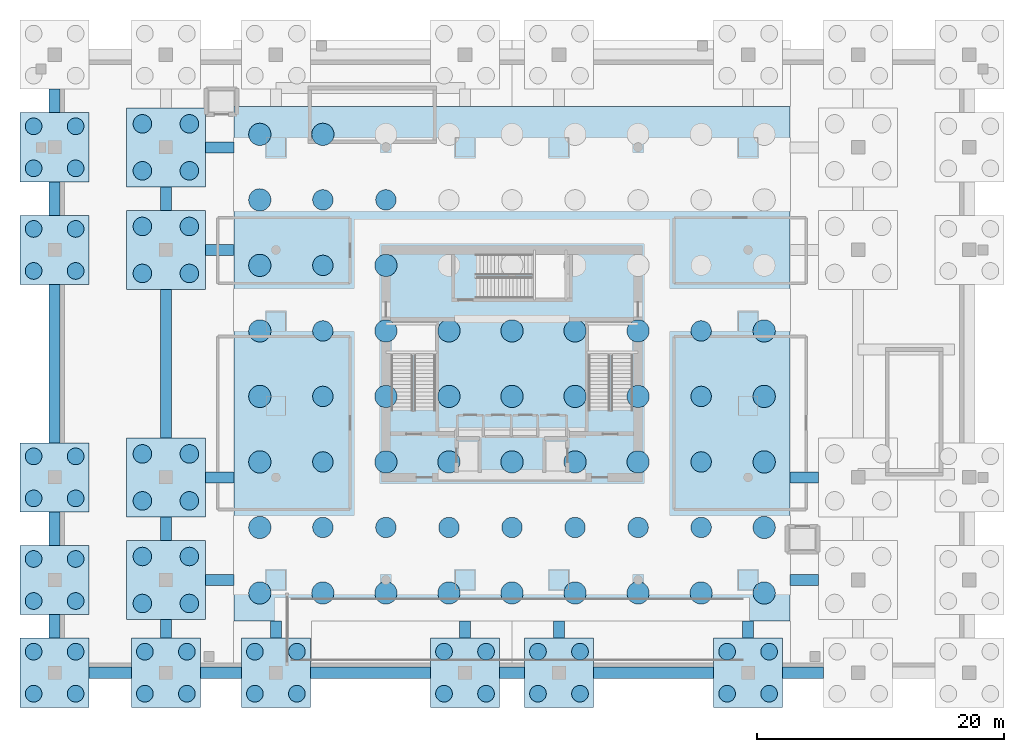
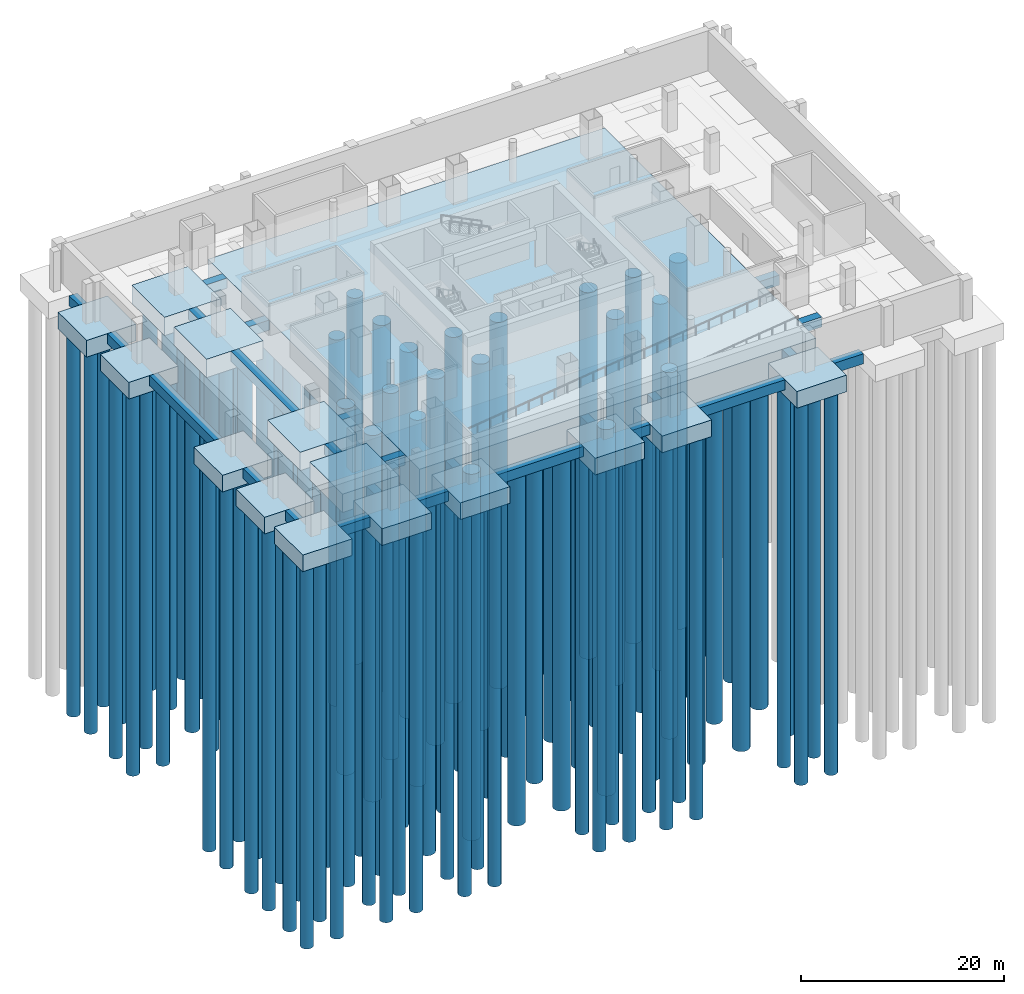
# One storey, part 1 of 11: 109 piles, 40 footings.
"""IFC4 building model written with IfcOpenShell, lengths in metres."""

from ifc_helpers import new_model, si_unit, direction, frame, origin, origin_2d, place, context, subcontext, project, spatial, polyline, rectangle, circle, outline, extrude, material, material_profile, profile_set, type_object, element, save


model = new_model("IFC4")

# Units and contexts
model_context = context("Model", 3, precision=1e-05, world=origin(), true_north=direction((0.0, 1.0)))
body_context = subcontext(model_context, "Body", "Model", "MODEL_VIEW")
ifc_project = project(units=[si_unit("LENGTHUNIT", "METRE"), si_unit("AREAUNIT", "SQUARE_METRE"), si_unit("VOLUMEUNIT", "CUBIC_METRE"), si_unit("PLANEANGLEUNIT", "RADIAN"), si_unit("MASSUNIT", "GRAM", prefix="KILO")], contexts=[model_context])

# Site, building, storey
site_placement = place(None, origin())
site = spatial("IfcSite", under=ifc_project, at=site_placement, CompositionType="ELEMENT")
building_placement = place(site_placement, origin())
building = spatial("IfcBuilding", under=site, at=building_placement, Name="Punatoya Terracotta Tower", CompositionType="ELEMENT")
storey_placement = place(building_placement, frame((0.0, 0.0, -9.60009765625)))
storey = spatial("IfcBuildingStorey", under=building, at=storey_placement, Name="B2", CompositionType="ELEMENT", Elevation=-9.60009765625)

# Footings
ifc_material_1 = material(Name="Concrete C45/55", Category="concrete")
footing_type_1 = type_object("IfcFootingType", Name="CAP-5600X5600X2000", PredefinedType="PILE_CAP", material=ifc_material_1)
footing_1_placement = place(storey_placement, frame((0.0, 0.0, -2.0)))
element("IfcFooting", 1, at=footing_1_placement, inside=storey, type_object=footing_type_1, Name="Podium Pile Cap PCAP-01 (1-A)", PredefinedType="PILE_CAP", context=body_context, shape_type="SweptSolid", body=[
    extrude(outline(polyline([(-39.800048828125, -27.800048828125), (-34.199951171875, -27.800048828125), (-34.199951171875, -22.199951171875), (-39.800048828125, -22.199951171875), (-39.800048828125, -27.800048828125)])), origin(), (0.0, 0.0, 1.0), 2.0),
])
footing_2_placement = place(storey_placement, frame((0.0, 0.0, -2.0)))
element("IfcFooting", 2, at=footing_2_placement, inside=storey, type_object=footing_type_1, Name="Podium Pile Cap PCAP-02 (2-A)", PredefinedType="PILE_CAP", context=body_context, shape_type="SweptSolid", body=[
    extrude(outline(polyline([(-30.800048828125, -27.800048828125), (-25.199951171875, -27.800048828125), (-25.199951171875, -22.199951171875), (-30.800048828125, -22.199951171875), (-30.800048828125, -27.800048828125)])), origin(), (0.0, 0.0, 1.0), 2.0),
])
footing_3_placement = place(storey_placement, frame((0.0, 0.0, -2.0)))
element("IfcFooting", 3, at=footing_3_placement, inside=storey, type_object=footing_type_1, Name="Podium Pile Cap PCAP-03 (3-A)", PredefinedType="PILE_CAP", context=body_context, shape_type="SweptSolid", body=[
    extrude(outline(polyline([(-21.89990234375, -27.800048828125), (-16.300048828125, -27.800048828125), (-16.300048828125, -22.199951171875), (-21.89990234375, -22.199951171875), (-21.89990234375, -27.800048828125)])), origin(), (0.0, 0.0, 1.0), 2.0),
])
footing_4_placement = place(storey_placement, frame((0.0, 0.0, -2.0)))
element("IfcFooting", 4, at=footing_4_placement, inside=storey, type_object=footing_type_1, Name="Podium Pile Cap PCAP-04 (5-A)", PredefinedType="PILE_CAP", context=body_context, shape_type="SweptSolid", body=[
    extrude(outline(polyline([(-6.60009765625, -27.800048828125), (-1.0, -27.800048828125), (-1.0, -22.199951171875), (-6.60009765625, -22.199951171875), (-6.60009765625, -27.800048828125)])), origin(), (0.0, 0.0, 1.0), 2.0),
])
footing_5_placement = place(storey_placement, frame((0.0, 0.0, -2.0)))
element("IfcFooting", 5, at=footing_5_placement, inside=storey, type_object=footing_type_1, Name="Podium Pile Cap PCAP-05 (7-A)", PredefinedType="PILE_CAP", context=body_context, shape_type="SweptSolid", body=[
    extrude(outline(polyline([(1.0, -27.800048828125), (6.60009765625, -27.800048828125), (6.60009765625, -22.199951171875), (1.0, -22.199951171875), (1.0, -27.800048828125)])), origin(), (0.0, 0.0, 1.0), 2.0),
])
footing_6_placement = place(storey_placement, frame((0.0, 0.0, -2.0)))
element("IfcFooting", 6, at=footing_6_placement, inside=storey, type_object=footing_type_1, Name="Podium Pile Cap PCAP-06 (9-A)", PredefinedType="PILE_CAP", context=body_context, shape_type="SweptSolid", body=[
    extrude(outline(polyline([(16.300048828125, -27.800048828125), (21.89990234375, -27.800048828125), (21.89990234375, -22.199951171875), (16.300048828125, -22.199951171875), (16.300048828125, -27.800048828125)])), origin(), (0.0, 0.0, 1.0), 2.0),
])
footing_7_placement = place(storey_placement, frame((0.0, 0.0, -2.0)))
element("IfcFooting", 7, at=footing_7_placement, inside=storey, type_object=footing_type_1, Name="Podium Pile Cap PCAP-09 (1-B)", PredefinedType="PILE_CAP", context=body_context, shape_type="SweptSolid", body=[
    extrude(outline(polyline([(-39.800048828125, -20.300048828125), (-34.199951171875, -20.300048828125), (-34.199951171875, -14.699951171875), (-39.800048828125, -14.699951171875), (-39.800048828125, -20.300048828125)])), origin(), (0.0, 0.0, 1.0), 2.0),
])
footing_8_placement = place(storey_placement, frame((0.0, 0.0, -2.0)))
element("IfcFooting", 8, at=footing_8_placement, inside=storey, type_object=footing_type_1, Name="Podium Pile Cap PCAP-13 (1-C)", PredefinedType="PILE_CAP", context=body_context, shape_type="SweptSolid", body=[
    extrude(outline(polyline([(-39.800048828125, -12.0), (-34.199951171875, -12.0), (-34.199951171875, -6.39990234375), (-39.800048828125, -6.39990234375), (-39.800048828125, -12.0)])), origin(), (0.0, 0.0, 1.0), 2.0),
])
footing_9_placement = place(storey_placement, frame((0.0, 0.0, -2.0)))
element("IfcFooting", 9, at=footing_9_placement, inside=storey, type_object=footing_type_1, Name="Podium Pile Cap PCAP-15 (1-F)", PredefinedType="PILE_CAP", context=body_context, shape_type="SweptSolid", body=[
    extrude(outline(polyline([(-39.800048828125, 6.39990234375), (-34.199951171875, 6.39990234375), (-34.199951171875, 12.0), (-39.800048828125, 12.0), (-39.800048828125, 6.39990234375)])), origin(), (0.0, 0.0, 1.0), 2.0),
])
footing_10_placement = place(storey_placement, frame((0.0, 0.0, -2.0)))
element("IfcFooting", 10, at=footing_10_placement, inside=storey, type_object=footing_type_1, Name="Podium Pile Cap PCAP-17 (1-G)", PredefinedType="PILE_CAP", context=body_context, shape_type="SweptSolid", body=[
    extrude(outline(polyline([(-39.800048828125, 14.699951171875), (-34.199951171875, 14.699951171875), (-34.199951171875, 20.300048828125), (-39.800048828125, 20.300048828125), (-39.800048828125, 14.699951171875)])), origin(), (0.0, 0.0, 1.0), 2.0),
])
footing_type_2 = type_object("IfcFootingType", Name="CAP-6400X6400X2200", PredefinedType="PILE_CAP", material=ifc_material_1)
footing_11_placement = place(storey_placement, frame((0.0, 0.0, -2.199951171875)))
element("IfcFooting", 11, at=footing_11_placement, inside=storey, type_object=footing_type_2, Name="Podium Pile Cap PCAP-10 (2-B)", PredefinedType="PILE_CAP", context=body_context, shape_type="SweptSolid", body=[
    extrude(outline(polyline([(-31.199951171875, -20.699951171875), (-24.800048828125, -20.699951171875), (-24.800048828125, -14.300048828125), (-31.199951171875, -14.300048828125), (-31.199951171875, -20.699951171875)])), origin(), (0.0, 0.0, 1.0), 2.199951171875),
])
footing_12_placement = place(storey_placement, frame((0.0, 0.0, -2.199951171875)))
element("IfcFooting", 12, at=footing_12_placement, inside=storey, type_object=footing_type_2, Name="Podium Pile Cap PCAP-18 (2-G)", PredefinedType="PILE_CAP", context=body_context, shape_type="SweptSolid", body=[
    extrude(outline(polyline([(-31.199951171875, 14.300048828125), (-24.800048828125, 14.300048828125), (-24.800048828125, 20.699951171875), (-31.199951171875, 20.699951171875), (-31.199951171875, 14.300048828125)])), origin(), (0.0, 0.0, 1.0), 2.199951171875),
])
footing_13_placement = place(storey_placement, frame((0.0, 0.0, -2.199951171875)))
element("IfcFooting", 13, at=footing_13_placement, inside=storey, type_object=footing_type_2, Name="Podium Pile Cap PCAP-29 (2-C)", PredefinedType="PILE_CAP", context=body_context, shape_type="SweptSolid", body=[
    extrude(outline(polyline([(-31.199951171875, -12.39990234375), (-24.800048828125, -12.39990234375), (-24.800048828125, -6.0), (-31.199951171875, -6.0), (-31.199951171875, -12.39990234375)])), origin(), (0.0, 0.0, 1.0), 2.199951171875),
])
footing_14_placement = place(storey_placement, frame((0.0, 0.0, -2.199951171875)))
element("IfcFooting", 14, at=footing_14_placement, inside=storey, type_object=footing_type_2, Name="Podium Pile Cap PCAP-30 (2-F)", PredefinedType="PILE_CAP", context=body_context, shape_type="SweptSolid", body=[
    extrude(outline(polyline([(-31.199951171875, 6.0), (-24.800048828125, 6.0), (-24.800048828125, 12.39990234375), (-31.199951171875, 12.39990234375), (-31.199951171875, 6.0)])), origin(), (0.0, 0.0, 1.0), 2.199951171875),
])
ifc_material_profile_1 = material_profile(ifc_material_1, rectangle(XDim=0.89990234375, YDim=1.199951171875, at=origin_2d()))
ifc_profile_set_1 = profile_set([ifc_material_profile_1], Name="Concrete C45/55")
footing_type_3 = type_object("IfcFootingType", Name="FTG-GB-900", PredefinedType="FOOTING_BEAM", material=ifc_profile_set_1)
footing_15_placement = place(storey_placement, frame((-34.199951171875, -25.0, -0.599853515625), z_axis=(1.0, 0.0, 0.0), x_axis=(0.0, 1.0, 0.0)))
element("IfcFooting", 15, at=footing_15_placement, inside=storey, type_object=footing_type_3, Name="Foundation Tie Beam FGB-001 (1..2-A)", PredefinedType="FOOTING_BEAM", context=body_context, shape_type="SweptSolid", body=[
    extrude(rectangle(XDim=0.89990234375, YDim=1.199951171875, at=origin_2d()), origin(), (0.0, 0.0, 1.0), 3.39990234375),
])
footing_16_placement = place(storey_placement, frame((-25.199951171875, -25.0, -0.599853515625), z_axis=(1.0, 0.0, 0.0), x_axis=(0.0, 1.0, 0.0)))
element("IfcFooting", 16, at=footing_16_placement, inside=storey, type_object=footing_type_3, Name="Foundation Tie Beam FGB-002 (2..3-A)", PredefinedType="FOOTING_BEAM", context=body_context, shape_type="SweptSolid", body=[
    extrude(rectangle(XDim=0.89990234375, YDim=1.199951171875, at=origin_2d()), origin(), (0.0, 0.0, 1.0), 3.300048828125),
])
footing_17_placement = place(storey_placement, frame((-16.300048828125, -25.0, -0.599853515625), z_axis=(1.0, 0.0, 0.0), x_axis=(0.0, 1.0, 0.0)))
element("IfcFooting", 17, at=footing_17_placement, inside=storey, type_object=footing_type_3, Name="Foundation Tie Beam FGB-003 (3..5-A)", PredefinedType="FOOTING_BEAM", context=body_context, shape_type="SweptSolid", body=[
    extrude(rectangle(XDim=0.89990234375, YDim=1.199951171875, at=origin_2d()), origin(), (0.0, 0.0, 1.0), 9.699951171875),
])
footing_18_placement = place(storey_placement, frame((-1.0, -25.0, -0.599853515625), z_axis=(1.0, 0.0, 0.0), x_axis=(0.0, 1.0, 0.0)))
element("IfcFooting", 18, at=footing_18_placement, inside=storey, type_object=footing_type_3, Name="Foundation Tie Beam FGB-004 (5..7-A)", PredefinedType="FOOTING_BEAM", context=body_context, shape_type="SweptSolid", body=[
    extrude(rectangle(XDim=0.89990234375, YDim=1.199951171875, at=origin_2d()), origin(), (0.0, 0.0, 1.0), 2.0),
])
footing_19_placement = place(storey_placement, frame((6.60009765625, -25.0, -0.599853515625), z_axis=(1.0, 0.0, 0.0), x_axis=(0.0, 1.0, 0.0)))
element("IfcFooting", 19, at=footing_19_placement, inside=storey, type_object=footing_type_3, Name="Foundation Tie Beam FGB-005 (7..9-A)", PredefinedType="FOOTING_BEAM", context=body_context, shape_type="SweptSolid", body=[
    extrude(rectangle(XDim=0.89990234375, YDim=1.199951171875, at=origin_2d()), origin(), (0.0, 0.0, 1.0), 9.699951171875),
])
footing_20_placement = place(storey_placement, frame((21.89990234375, -25.0, -0.599853515625), z_axis=(1.0, 0.0, 0.0), x_axis=(0.0, 1.0, 0.0)))
element("IfcFooting", 20, at=footing_20_placement, inside=storey, type_object=footing_type_3, Name="Foundation Tie Beam FGB-006 (9..10-A)", PredefinedType="FOOTING_BEAM", context=body_context, shape_type="SweptSolid", body=[
    extrude(rectangle(XDim=0.89990234375, YDim=1.199951171875, at=origin_2d()), origin(), (0.0, 0.0, 1.0), 3.300048828125),
])
footing_21_placement = place(storey_placement, frame((-37.0, -22.199951171875, -0.599853515625), z_axis=(0.0, 1.0, 0.0), x_axis=(-1.0, 0.0, 0.0)))
element("IfcFooting", 21, at=footing_21_placement, inside=storey, type_object=footing_type_3, Name="Foundation Tie Beam FGB-015 (1-A..B)", PredefinedType="FOOTING_BEAM", context=body_context, shape_type="SweptSolid", body=[
    extrude(rectangle(XDim=0.89990234375, YDim=1.199951171875, at=origin_2d()), origin(), (0.0, 0.0, 1.0), 1.89990234375),
])
footing_22_placement = place(storey_placement, frame((-37.0, -14.699951171875, -0.599853515625), z_axis=(0.0, 1.0, 0.0), x_axis=(-1.0, 0.0, 0.0)))
element("IfcFooting", 22, at=footing_22_placement, inside=storey, type_object=footing_type_3, Name="Foundation Tie Beam FGB-016 (1-B..C)", PredefinedType="FOOTING_BEAM", context=body_context, shape_type="SweptSolid", body=[
    extrude(rectangle(XDim=0.89990234375, YDim=1.199951171875, at=origin_2d()), origin(), (0.0, 0.0, 1.0), 2.699951171875),
])
footing_23_placement = place(storey_placement, frame((-37.0, -6.39990234375, -0.599853515625), z_axis=(0.0, 1.0, 0.0), x_axis=(-1.0, 0.0, 0.0)))
element("IfcFooting", 23, at=footing_23_placement, inside=storey, type_object=footing_type_3, Name="Foundation Tie Beam FGB-017 (1-C..F)", PredefinedType="FOOTING_BEAM", context=body_context, shape_type="SweptSolid", body=[
    extrude(rectangle(XDim=0.89990234375, YDim=1.199951171875, at=origin_2d()), origin(), (0.0, 0.0, 1.0), 12.7998046875),
])
footing_24_placement = place(storey_placement, frame((-37.0, 12.0, -0.599853515625), z_axis=(0.0, 1.0, 0.0), x_axis=(-1.0, 0.0, 0.0)))
element("IfcFooting", 24, at=footing_24_placement, inside=storey, type_object=footing_type_3, Name="Foundation Tie Beam FGB-018 (1-F..G)", PredefinedType="FOOTING_BEAM", context=body_context, shape_type="SweptSolid", body=[
    extrude(rectangle(XDim=0.89990234375, YDim=1.199951171875, at=origin_2d()), origin(), (0.0, 0.0, 1.0), 2.699951171875),
])
footing_25_placement = place(storey_placement, frame((-37.0, 20.300048828125, -0.599853515625), z_axis=(0.0, 1.0, 0.0), x_axis=(-1.0, 0.0, 0.0)))
element("IfcFooting", 25, at=footing_25_placement, inside=storey, type_object=footing_type_3, Name="Foundation Tie Beam FGB-019 (1-G..H)", PredefinedType="FOOTING_BEAM", context=body_context, shape_type="SweptSolid", body=[
    extrude(rectangle(XDim=0.89990234375, YDim=1.199951171875, at=origin_2d()), origin(), (0.0, 0.0, 1.0), 1.89990234375),
])
footing_26_placement = place(storey_placement, frame((-28.0, -22.199951171875, -0.599853515625), z_axis=(0.0, 1.0, 0.0), x_axis=(-1.0, 0.0, 0.0)))
element("IfcFooting", 26, at=footing_26_placement, inside=storey, type_object=footing_type_3, Name="Foundation Tie Beam FGB-020 (2-A..B)", PredefinedType="FOOTING_BEAM", context=body_context, shape_type="SweptSolid", body=[
    extrude(rectangle(XDim=0.89990234375, YDim=1.199951171875, at=origin_2d()), origin(), (0.0, 0.0, 1.0), 1.5),
])
footing_27_placement = place(storey_placement, frame((-28.0, -14.300048828125, -0.599853515625), z_axis=(0.0, 1.0, 0.0), x_axis=(-1.0, 0.0, 0.0)))
element("IfcFooting", 27, at=footing_27_placement, inside=storey, type_object=footing_type_3, Name="Foundation Tie Beam FGB-021 (2-B..C)", PredefinedType="FOOTING_BEAM", context=body_context, shape_type="SweptSolid", body=[
    extrude(rectangle(XDim=0.89990234375, YDim=1.199951171875, at=origin_2d()), origin(), (0.0, 0.0, 1.0), 1.900146484375),
])
footing_28_placement = place(storey_placement, frame((-28.0, -6.0, -0.599853515625), z_axis=(0.0, 1.0, 0.0), x_axis=(-1.0, 0.0, 0.0)))
element("IfcFooting", 28, at=footing_28_placement, inside=storey, type_object=footing_type_3, Name="Foundation Tie Beam FGB-022 (2-C..F)", PredefinedType="FOOTING_BEAM", context=body_context, shape_type="SweptSolid", body=[
    extrude(rectangle(XDim=0.89990234375, YDim=1.199951171875, at=origin_2d()), origin(), (0.0, 0.0, 1.0), 12.0),
])
footing_29_placement = place(storey_placement, frame((-28.0, 12.39990234375, -0.599853515625), z_axis=(0.0, 1.0, 0.0), x_axis=(-1.0, 0.0, 0.0)))
element("IfcFooting", 29, at=footing_29_placement, inside=storey, type_object=footing_type_3, Name="Foundation Tie Beam FGB-023 (2-F..G)", PredefinedType="FOOTING_BEAM", context=body_context, shape_type="SweptSolid", body=[
    extrude(rectangle(XDim=0.89990234375, YDim=1.199951171875, at=origin_2d()), origin(), (0.0, 0.0, 1.0), 1.900146484375),
])
for number, where, z_axis, x_axis, name in (
    (30, (-19.10009765625, -22.199951171875, -0.599853515625), (0.0, 1.0, 0.0), (-1.0, 0.0, 0.0), "Foundation Tie Beam FGB-035 (3-A-RAFT)"),
    (31, (-3.800048828125, -22.199951171875, -0.599853515625), (0.0, 1.0, 0.0), (-1.0, 0.0, 0.0), "Foundation Tie Beam FGB-037 (5-A-RAFT)"),
    (32, (3.800048828125, -22.199951171875, -0.599853515625), (0.0, 1.0, 0.0), (-1.0, 0.0, 0.0), "Foundation Tie Beam FGB-039 (7-A-RAFT)"),
    (33, (19.10009765625, -22.199951171875, -0.599853515625), (0.0, 1.0, 0.0), (-1.0, 0.0, 0.0), "Foundation Tie Beam FGB-041 (9-A-RAFT)"),
):
    element("IfcFooting", number, at=place(storey_placement, frame(where, z_axis=z_axis, x_axis=x_axis)), inside=storey, type_object=footing_type_3, Name=name, PredefinedType="FOOTING_BEAM", context=body_context, shape_type="SweptSolid", body=[
        extrude(rectangle(XDim=0.89990234375, YDim=1.199951171875, at=origin_2d()), origin(), (0.0, 0.0, 1.0), 1.39990234375),
    ])
for number, where, z_axis, x_axis, name in (
    (34, (-24.800048828125, -17.5, -0.599853515625), (1.0, 0.0, 0.0), (0.0, 1.0, 0.0), "Foundation Tie Beam FGB-043 (W-B-RAFT)"),
    (35, (22.5, -17.5, -0.599853515625), (1.0, 0.0, 0.0), (0.0, 1.0, 0.0), "Foundation Tie Beam FGB-044 (RAFT-E-B)"),
    (36, (-24.800048828125, -9.199951171875, -0.599853515625), (1.0, 0.0, 0.0), (0.0, 1.0, 0.0), "Foundation Tie Beam FGB-045 (W-C-RAFT)"),
    (37, (22.5, -9.199951171875, -0.599853515625), (1.0, 0.0, 0.0), (0.0, 1.0, 0.0), "Foundation Tie Beam FGB-046 (RAFT-E-C)"),
    (38, (-24.800048828125, 9.199951171875, -0.599853515625), (1.0, 0.0, 0.0), (0.0, 1.0, 0.0), "Foundation Tie Beam FGB-047 (W-F-RAFT)"),
    (39, (-24.800048828125, 17.5, -0.599853515625), (1.0, 0.0, 0.0), (0.0, 1.0, 0.0), "Foundation Tie Beam FGB-049 (W-G-RAFT)"),
):
    element("IfcFooting", number, at=place(storey_placement, frame(where, z_axis=z_axis, x_axis=x_axis)), inside=storey, type_object=footing_type_3, Name=name, PredefinedType="FOOTING_BEAM", context=body_context, shape_type="SweptSolid", body=[
        extrude(rectangle(XDim=0.89990234375, YDim=1.199951171875, at=origin_2d()), origin(), (0.0, 0.0, 1.0), 2.300048828125),
    ])
ifc_material_2 = material(Name="Concrete C50/60", Category="concrete")
footing_type_4 = type_object("IfcFootingType", Name="FTG-RAFT-4000", PredefinedType="PILE_CAP", material=ifc_material_2)
footing_30_placement = place(storey_placement, frame((0.0, 0.0, -4.0)))
element("IfcFooting", 40, at=footing_30_placement, inside=storey, type_object=footing_type_4, Name="Tower Piled Raft PR-01", PredefinedType="PILE_CAP", context=body_context, shape_type="SweptSolid", body=[
    extrude(outline(polyline([(-22.5, -20.800048828125), (22.5, -20.800048828125), (22.5, 20.800048828125), (-22.5, 20.800048828125), (-22.5, -20.800048828125)])), origin(), (0.0, 0.0, 1.0), 4.0),
])

# Piles
ifc_material_profile_2 = material_profile(ifc_material_1, circle(Radius=0.675048828125, at=origin_2d()))
ifc_profile_set_2 = profile_set([ifc_material_profile_2], Name="Concrete C45/55")
pile_type_1 = type_object("IfcPileType", Name="PILE-D1350", PredefinedType="BORED", material=ifc_profile_set_2)
for number, where, z_axis, x_axis, name in (
    (41, (-38.699951171875, -26.699951171875, -1.849853515625), (0.0, 0.0, -1.0), (1.0, 0.0, 0.0), "Bored Pile BP-073"),
    (42, (-38.699951171875, -23.300048828125, -1.849853515625), (0.0, 0.0, -1.0), (1.0, 0.0, 0.0), "Bored Pile BP-074"),
    (43, (-35.300048828125, -26.699951171875, -1.849853515625), (0.0, 0.0, -1.0), (1.0, 0.0, 0.0), "Bored Pile BP-075"),
    (44, (-35.300048828125, -23.300048828125, -1.849853515625), (0.0, 0.0, -1.0), (1.0, 0.0, 0.0), "Bored Pile BP-076"),
    (45, (-29.699951171875, -26.699951171875, -1.849853515625), (0.0, 0.0, -1.0), (1.0, 0.0, 0.0), "Bored Pile BP-077"),
    (46, (-29.699951171875, -23.300048828125, -1.849853515625), (0.0, 0.0, -1.0), (1.0, 0.0, 0.0), "Bored Pile BP-078"),
    (47, (-26.300048828125, -26.699951171875, -1.849853515625), (0.0, 0.0, -1.0), (1.0, 0.0, 0.0), "Bored Pile BP-079"),
    (48, (-26.300048828125, -23.300048828125, -1.849853515625), (0.0, 0.0, -1.0), (1.0, 0.0, 0.0), "Bored Pile BP-080"),
    (49, (-20.800048828125, -26.699951171875, -1.849853515625), (0.0, 0.0, -1.0), (1.0, 0.0, 0.0), "Bored Pile BP-081"),
    (50, (-20.800048828125, -23.300048828125, -1.849853515625), (0.0, 0.0, -1.0), (1.0, 0.0, 0.0), "Bored Pile BP-082"),
    (51, (-17.39990234375, -26.699951171875, -1.849853515625), (0.0, 0.0, -1.0), (1.0, 0.0, 0.0), "Bored Pile BP-083"),
    (52, (-17.39990234375, -23.300048828125, -1.849853515625), (0.0, 0.0, -1.0), (1.0, 0.0, 0.0), "Bored Pile BP-084"),
    (53, (-5.5, -26.699951171875, -1.849853515625), (0.0, 0.0, -1.0), (1.0, 0.0, 0.0), "Bored Pile BP-085"),
    (54, (-5.5, -23.300048828125, -1.849853515625), (0.0, 0.0, -1.0), (1.0, 0.0, 0.0), "Bored Pile BP-086"),
    (55, (-2.10009765625, -26.699951171875, -1.849853515625), (0.0, 0.0, -1.0), (1.0, 0.0, 0.0), "Bored Pile BP-087"),
    (56, (-2.10009765625, -23.300048828125, -1.849853515625), (0.0, 0.0, -1.0), (1.0, 0.0, 0.0), "Bored Pile BP-088"),
    (57, (2.10009765625, -26.699951171875, -1.849853515625), (0.0, 0.0, -1.0), (1.0, 0.0, 0.0), "Bored Pile BP-089"),
    (58, (2.10009765625, -23.300048828125, -1.849853515625), (0.0, 0.0, -1.0), (1.0, 0.0, 0.0), "Bored Pile BP-090"),
    (59, (5.5, -26.699951171875, -1.849853515625), (0.0, 0.0, -1.0), (1.0, 0.0, 0.0), "Bored Pile BP-091"),
    (60, (5.5, -23.300048828125, -1.849853515625), (0.0, 0.0, -1.0), (1.0, 0.0, 0.0), "Bored Pile BP-092"),
    (61, (17.39990234375, -26.699951171875, -1.849853515625), (0.0, 0.0, -1.0), (1.0, 0.0, 0.0), "Bored Pile BP-093"),
    (62, (17.39990234375, -23.300048828125, -1.849853515625), (0.0, 0.0, -1.0), (1.0, 0.0, 0.0), "Bored Pile BP-094"),
    (63, (20.800048828125, -26.699951171875, -1.849853515625), (0.0, 0.0, -1.0), (1.0, 0.0, 0.0), "Bored Pile BP-095"),
    (64, (20.800048828125, -23.300048828125, -1.849853515625), (0.0, 0.0, -1.0), (1.0, 0.0, 0.0), "Bored Pile BP-096"),
    (65, (-38.699951171875, -19.199951171875, -1.849853515625), (0.0, 0.0, -1.0), (1.0, 0.0, 0.0), "Bored Pile BP-105"),
    (66, (-38.699951171875, -15.800048828125, -1.849853515625), (0.0, 0.0, -1.0), (1.0, 0.0, 0.0), "Bored Pile BP-106"),
    (67, (-35.300048828125, -19.199951171875, -1.849853515625), (0.0, 0.0, -1.0), (1.0, 0.0, 0.0), "Bored Pile BP-107"),
    (68, (-35.300048828125, -15.800048828125, -1.849853515625), (0.0, 0.0, -1.0), (1.0, 0.0, 0.0), "Bored Pile BP-108"),
    (69, (-38.699951171875, -10.89990234375, -1.849853515625), (0.0, 0.0, -1.0), (1.0, 0.0, 0.0), "Bored Pile BP-121"),
    (70, (-38.699951171875, -7.5, -1.849853515625), (0.0, 0.0, -1.0), (1.0, 0.0, 0.0), "Bored Pile BP-122"),
    (71, (-35.300048828125, -10.89990234375, -1.849853515625), (0.0, 0.0, -1.0), (1.0, 0.0, 0.0), "Bored Pile BP-123"),
    (72, (-35.300048828125, -7.5, -1.849853515625), (0.0, 0.0, -1.0), (1.0, 0.0, 0.0), "Bored Pile BP-124"),
    (73, (-38.699951171875, 7.5, -1.849853515625), (0.0, 0.0, -1.0), (1.0, 0.0, 0.0), "Bored Pile BP-129"),
    (74, (-38.699951171875, 10.89990234375, -1.849853515625), (0.0, 0.0, -1.0), (1.0, 0.0, 0.0), "Bored Pile BP-130"),
    (75, (-35.300048828125, 7.5, -1.849853515625), (0.0, 0.0, -1.0), (1.0, 0.0, 0.0), "Bored Pile BP-131"),
    (76, (-35.300048828125, 10.89990234375, -1.849853515625), (0.0, 0.0, -1.0), (1.0, 0.0, 0.0), "Bored Pile BP-132"),
    (77, (-38.699951171875, 15.800048828125, -1.849853515625), (0.0, 0.0, -1.0), (1.0, 0.0, 0.0), "Bored Pile BP-137"),
    (78, (-38.699951171875, 19.199951171875, -1.849853515625), (0.0, 0.0, -1.0), (1.0, 0.0, 0.0), "Bored Pile BP-138"),
    (79, (-35.300048828125, 15.800048828125, -1.849853515625), (0.0, 0.0, -1.0), (1.0, 0.0, 0.0), "Bored Pile BP-139"),
    (80, (-35.300048828125, 19.199951171875, -1.849853515625), (0.0, 0.0, -1.0), (1.0, 0.0, 0.0), "Bored Pile BP-140"),
):
    element("IfcPile", number, at=place(storey_placement, frame(where, z_axis=z_axis, x_axis=x_axis)), inside=storey, type_object=pile_type_1, Name=name, PredefinedType="BORED", context=body_context, shape_type="SweptSolid", body=[
        extrude(circle(Radius=0.675048828125, at=origin_2d()), origin(), (0.0, 0.0, 1.0), 46.0),
    ])
ifc_material_profile_3 = material_profile(ifc_material_1, circle(Radius=0.75, at=origin_2d()))
ifc_profile_set_3 = profile_set([ifc_material_profile_3], Name="Concrete C45/55")
pile_type_2 = type_object("IfcPileType", Name="PILE-D1500", PredefinedType="BORED", material=ifc_profile_set_3)
for number, where, z_axis, x_axis, name in (
    (81, (-29.89990234375, -19.39990234375, -2.0498046875), (0.0, 0.0, -1.0), (1.0, 0.0, 0.0), "Bored Pile BP-109"),
    (82, (-29.89990234375, -15.60009765625, -2.0498046875), (0.0, 0.0, -1.0), (1.0, 0.0, 0.0), "Bored Pile BP-110"),
    (83, (-26.10009765625, -19.39990234375, -2.0498046875), (0.0, 0.0, -1.0), (1.0, 0.0, 0.0), "Bored Pile BP-111"),
    (84, (-26.10009765625, -15.60009765625, -2.0498046875), (0.0, 0.0, -1.0), (1.0, 0.0, 0.0), "Bored Pile BP-112"),
    (85, (-29.89990234375, 15.60009765625, -2.0498046875), (0.0, 0.0, -1.0), (1.0, 0.0, 0.0), "Bored Pile BP-141"),
    (86, (-29.89990234375, 19.39990234375, -2.0498046875), (0.0, 0.0, -1.0), (1.0, 0.0, 0.0), "Bored Pile BP-142"),
    (87, (-26.10009765625, 15.60009765625, -2.0498046875), (0.0, 0.0, -1.0), (1.0, 0.0, 0.0), "Bored Pile BP-143"),
    (88, (-26.10009765625, 19.39990234375, -2.0498046875), (0.0, 0.0, -1.0), (1.0, 0.0, 0.0), "Bored Pile BP-144"),
    (89, (-29.89990234375, -11.10009765625, -2.0498046875), (0.0, 0.0, -1.0), (1.0, 0.0, 0.0), "Bored Pile BP-185"),
    (90, (-29.89990234375, -7.300048828125, -2.0498046875), (0.0, 0.0, -1.0), (1.0, 0.0, 0.0), "Bored Pile BP-186"),
    (91, (-26.10009765625, -11.10009765625, -2.0498046875), (0.0, 0.0, -1.0), (1.0, 0.0, 0.0), "Bored Pile BP-187"),
    (92, (-26.10009765625, -7.300048828125, -2.0498046875), (0.0, 0.0, -1.0), (1.0, 0.0, 0.0), "Bored Pile BP-188"),
    (93, (-29.89990234375, 7.300048828125, -2.0498046875), (0.0, 0.0, -1.0), (1.0, 0.0, 0.0), "Bored Pile BP-189"),
    (94, (-29.89990234375, 11.10009765625, -2.0498046875), (0.0, 0.0, -1.0), (1.0, 0.0, 0.0), "Bored Pile BP-190"),
    (95, (-26.10009765625, 7.300048828125, -2.0498046875), (0.0, 0.0, -1.0), (1.0, 0.0, 0.0), "Bored Pile BP-191"),
    (96, (-26.10009765625, 11.10009765625, -2.0498046875), (0.0, 0.0, -1.0), (1.0, 0.0, 0.0), "Bored Pile BP-192"),
):
    element("IfcPile", number, at=place(storey_placement, frame(where, z_axis=z_axis, x_axis=x_axis)), inside=storey, type_object=pile_type_2, Name=name, PredefinedType="BORED", context=body_context, shape_type="SweptSolid", body=[
        extrude(circle(Radius=0.75, at=origin_2d()), origin(), (0.0, 0.0, 1.0), 45.800048828125),
    ])
ifc_material_profile_4 = material_profile(ifc_material_1, circle(Radius=0.824951171875, at=origin_2d()))
ifc_profile_set_4 = profile_set([ifc_material_profile_4], Name="Concrete C45/55")
pile_type_3 = type_object("IfcPileType", Name="PILE-D1650", PredefinedType="BORED", material=ifc_profile_set_4)
for number, where, z_axis, x_axis, name in (
    (97, (-15.300048828125, -13.25, -3.849853515625), (0.0, 0.0, -1.0), (1.0, 0.0, 0.0), "Bored Pile BP-010"),
    (98, (-15.300048828125, -7.949951171875, -3.849853515625), (0.0, 0.0, -1.0), (1.0, 0.0, 0.0), "Bored Pile BP-011"),
    (99, (-15.300048828125, -2.64990234375, -3.849853515625), (0.0, 0.0, -1.0), (1.0, 0.0, 0.0), "Bored Pile BP-012"),
    (100, (-15.300048828125, 2.64990234375, -3.849853515625), (0.0, 0.0, -1.0), (1.0, 0.0, 0.0), "Bored Pile BP-013"),
    (101, (-15.300048828125, 7.949951171875, -3.849853515625), (0.0, 0.0, -1.0), (1.0, 0.0, 0.0), "Bored Pile BP-014"),
    (102, (-15.300048828125, 13.25, -3.849853515625), (0.0, 0.0, -1.0), (1.0, 0.0, 0.0), "Bored Pile BP-015"),
    (103, (-10.199951171875, -13.25, -3.849853515625), (0.0, 0.0, -1.0), (1.0, 0.0, 0.0), "Bored Pile BP-018"),
    (104, (-10.199951171875, 13.25, -3.849853515625), (0.0, 0.0, -1.0), (1.0, 0.0, 0.0), "Bored Pile BP-023"),
    (105, (-5.10009765625, -13.25, -3.849853515625), (0.0, 0.0, -1.0), (1.0, 0.0, 0.0), "Bored Pile BP-026"),
    (106, (0.0, -13.25, -3.849853515625), (0.0, 0.0, -1.0), (1.0, 0.0, 0.0), "Bored Pile BP-034"),
    (107, (5.10009765625, -13.25, -3.849853515625), (0.0, 0.0, -1.0), (1.0, 0.0, 0.0), "Bored Pile BP-042"),
    (108, (10.199951171875, -13.25, -3.849853515625), (0.0, 0.0, -1.0), (1.0, 0.0, 0.0), "Bored Pile BP-050"),
    (109, (15.300048828125, -13.25, -3.849853515625), (0.0, 0.0, -1.0), (1.0, 0.0, 0.0), "Bored Pile BP-058"),
    (110, (15.300048828125, -7.949951171875, -3.849853515625), (0.0, 0.0, -1.0), (1.0, 0.0, 0.0), "Bored Pile BP-059"),
    (111, (15.300048828125, -2.64990234375, -3.849853515625), (0.0, 0.0, -1.0), (1.0, 0.0, 0.0), "Bored Pile BP-060"),
    (112, (15.300048828125, 2.64990234375, -3.849853515625), (0.0, 0.0, -1.0), (1.0, 0.0, 0.0), "Bored Pile BP-061"),
):
    element("IfcPile", number, at=place(storey_placement, frame(where, z_axis=z_axis, x_axis=x_axis)), inside=storey, type_object=pile_type_3, Name=name, PredefinedType="BORED", context=body_context, shape_type="SweptSolid", body=[
        extrude(circle(Radius=0.824951171875, at=origin_2d()), origin(), (0.0, 0.0, 1.0), 44.0),
    ])
ifc_material_profile_5 = material_profile(ifc_material_1, circle(Radius=0.89990234375, at=origin_2d()))
ifc_profile_set_5 = profile_set([ifc_material_profile_5], Name="Concrete C45/55")
pile_type_4 = type_object("IfcPileType", Name="PILE-D1800", PredefinedType="BORED", material=ifc_profile_set_5)
for number, where, z_axis, x_axis, name in (
    (113, (-20.39990234375, -18.550048828125, -3.849853515625), (0.0, 0.0, -1.0), (1.0, 0.0, 0.0), "Bored Pile BP-001"),
    (114, (-20.39990234375, -13.25, -3.849853515625), (0.0, 0.0, -1.0), (1.0, 0.0, 0.0), "Bored Pile BP-002"),
    (115, (-20.39990234375, -7.949951171875, -3.849853515625), (0.0, 0.0, -1.0), (1.0, 0.0, 0.0), "Bored Pile BP-003"),
    (116, (-20.39990234375, -2.64990234375, -3.849853515625), (0.0, 0.0, -1.0), (1.0, 0.0, 0.0), "Bored Pile BP-004"),
    (117, (-20.39990234375, 2.64990234375, -3.849853515625), (0.0, 0.0, -1.0), (1.0, 0.0, 0.0), "Bored Pile BP-005"),
    (118, (-20.39990234375, 7.949951171875, -3.849853515625), (0.0, 0.0, -1.0), (1.0, 0.0, 0.0), "Bored Pile BP-006"),
    (119, (-20.39990234375, 13.25, -3.849853515625), (0.0, 0.0, -1.0), (1.0, 0.0, 0.0), "Bored Pile BP-007"),
    (120, (-20.39990234375, 18.550048828125, -3.849853515625), (0.0, 0.0, -1.0), (1.0, 0.0, 0.0), "Bored Pile BP-008"),
    (121, (-15.300048828125, -18.550048828125, -3.849853515625), (0.0, 0.0, -1.0), (1.0, 0.0, 0.0), "Bored Pile BP-009"),
    (122, (-15.300048828125, 18.550048828125, -3.849853515625), (0.0, 0.0, -1.0), (1.0, 0.0, 0.0), "Bored Pile BP-016"),
    (123, (-10.199951171875, -18.550048828125, -3.849853515625), (0.0, 0.0, -1.0), (1.0, 0.0, 0.0), "Bored Pile BP-017"),
    (124, (-10.199951171875, -7.949951171875, -3.849853515625), (0.0, 0.0, -1.0), (1.0, 0.0, 0.0), "Bored Pile BP-019"),
    (125, (-10.199951171875, -2.64990234375, -3.849853515625), (0.0, 0.0, -1.0), (1.0, 0.0, 0.0), "Bored Pile BP-020"),
    (126, (-10.199951171875, 2.64990234375, -3.849853515625), (0.0, 0.0, -1.0), (1.0, 0.0, 0.0), "Bored Pile BP-021"),
    (127, (-10.199951171875, 7.949951171875, -3.849853515625), (0.0, 0.0, -1.0), (1.0, 0.0, 0.0), "Bored Pile BP-022"),
    (128, (-5.10009765625, -18.550048828125, -3.849853515625), (0.0, 0.0, -1.0), (1.0, 0.0, 0.0), "Bored Pile BP-025"),
    (129, (-5.10009765625, -7.949951171875, -3.849853515625), (0.0, 0.0, -1.0), (1.0, 0.0, 0.0), "Bored Pile BP-027"),
    (130, (-5.10009765625, -2.64990234375, -3.849853515625), (0.0, 0.0, -1.0), (1.0, 0.0, 0.0), "Bored Pile BP-028"),
    (131, (-5.10009765625, 2.64990234375, -3.849853515625), (0.0, 0.0, -1.0), (1.0, 0.0, 0.0), "Bored Pile BP-029"),
    (132, (0.0, -18.550048828125, -3.849853515625), (0.0, 0.0, -1.0), (1.0, 0.0, 0.0), "Bored Pile BP-033"),
    (133, (0.0, -7.949951171875, -3.849853515625), (0.0, 0.0, -1.0), (1.0, 0.0, 0.0), "Bored Pile BP-035"),
    (134, (0.0, -2.64990234375, -3.849853515625), (0.0, 0.0, -1.0), (1.0, 0.0, 0.0), "Bored Pile BP-036"),
    (135, (0.0, 2.64990234375, -3.849853515625), (0.0, 0.0, -1.0), (1.0, 0.0, 0.0), "Bored Pile BP-037"),
    (136, (5.10009765625, -18.550048828125, -3.849853515625), (0.0, 0.0, -1.0), (1.0, 0.0, 0.0), "Bored Pile BP-041"),
    (137, (5.10009765625, -7.949951171875, -3.849853515625), (0.0, 0.0, -1.0), (1.0, 0.0, 0.0), "Bored Pile BP-043"),
    (138, (5.10009765625, -2.64990234375, -3.849853515625), (0.0, 0.0, -1.0), (1.0, 0.0, 0.0), "Bored Pile BP-044"),
    (139, (5.10009765625, 2.64990234375, -3.849853515625), (0.0, 0.0, -1.0), (1.0, 0.0, 0.0), "Bored Pile BP-045"),
    (140, (10.199951171875, -18.550048828125, -3.849853515625), (0.0, 0.0, -1.0), (1.0, 0.0, 0.0), "Bored Pile BP-049"),
    (141, (10.199951171875, -7.949951171875, -3.849853515625), (0.0, 0.0, -1.0), (1.0, 0.0, 0.0), "Bored Pile BP-051"),
    (142, (10.199951171875, -2.64990234375, -3.849853515625), (0.0, 0.0, -1.0), (1.0, 0.0, 0.0), "Bored Pile BP-052"),
    (143, (10.199951171875, 2.64990234375, -3.849853515625), (0.0, 0.0, -1.0), (1.0, 0.0, 0.0), "Bored Pile BP-053"),
    (144, (15.300048828125, -18.550048828125, -3.849853515625), (0.0, 0.0, -1.0), (1.0, 0.0, 0.0), "Bored Pile BP-057"),
    (145, (20.39990234375, -18.550048828125, -3.849853515625), (0.0, 0.0, -1.0), (1.0, 0.0, 0.0), "Bored Pile BP-065"),
    (146, (20.39990234375, -13.25, -3.849853515625), (0.0, 0.0, -1.0), (1.0, 0.0, 0.0), "Bored Pile BP-066"),
    (147, (20.39990234375, -7.949951171875, -3.849853515625), (0.0, 0.0, -1.0), (1.0, 0.0, 0.0), "Bored Pile BP-067"),
    (148, (20.39990234375, -2.64990234375, -3.849853515625), (0.0, 0.0, -1.0), (1.0, 0.0, 0.0), "Bored Pile BP-068"),
    (149, (20.39990234375, 2.64990234375, -3.849853515625), (0.0, 0.0, -1.0), (1.0, 0.0, 0.0), "Bored Pile BP-069"),
):
    element("IfcPile", number, at=place(storey_placement, frame(where, z_axis=z_axis, x_axis=x_axis)), inside=storey, type_object=pile_type_4, Name=name, PredefinedType="BORED", context=body_context, shape_type="SweptSolid", body=[
        extrude(circle(Radius=0.89990234375, at=origin_2d()), origin(), (0.0, 0.0, 1.0), 44.0),
    ])

save(model, "model.ifc")
